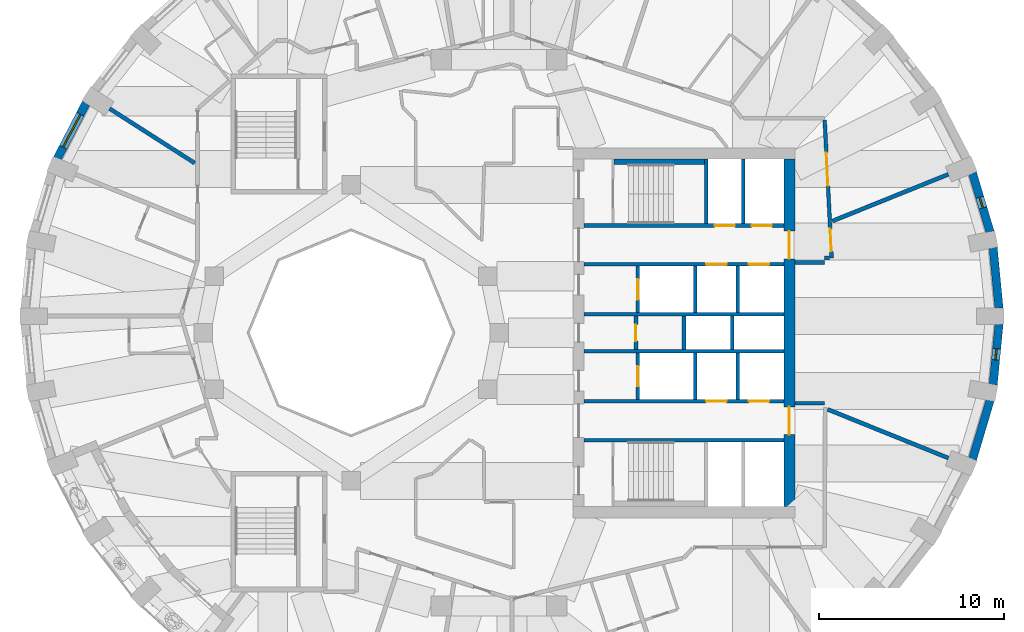
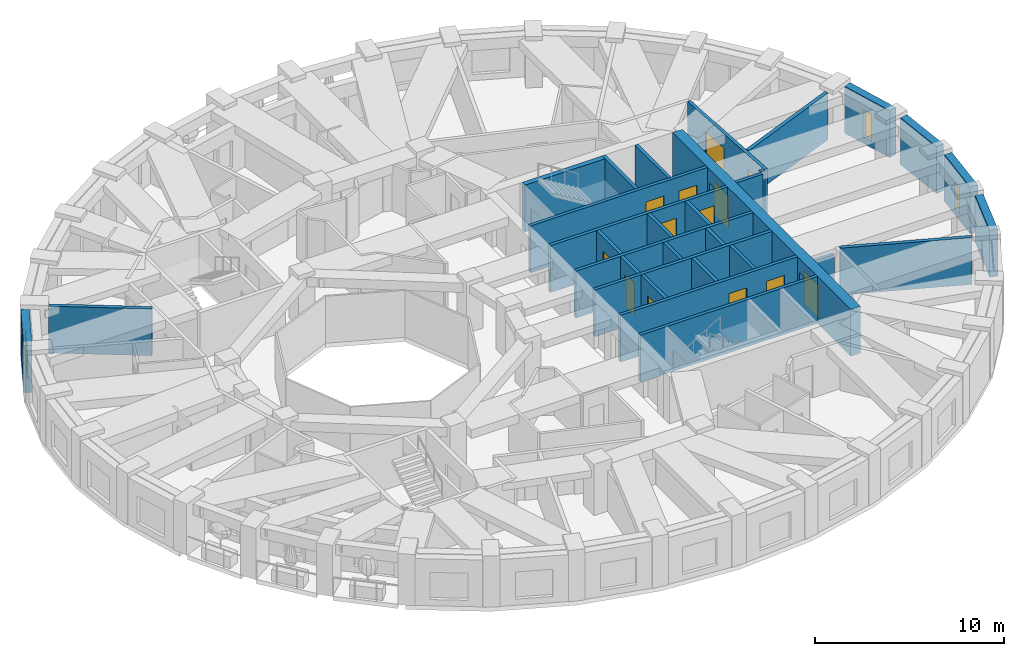
# One storey, part 6 of 12: 31 walls, 13 doors, 3 windows, 16 openings.
"""IFC4 building model written with IfcOpenShell, lengths in metres."""

from ifc_helpers import new_model, si_unit, direction, frame, frame_2d, origin, place, context, subcontext, project, spatial, rectangle, extrude, material, layer, layer_set, type_object, element, fill, save


model = new_model("IFC4")

# Units and contexts
model_context = context("Model", 3, precision=1e-05, world=origin(), true_north=direction((0.0, 1.0)))
body_context = subcontext(model_context, "Body", "Model", "MODEL_VIEW")
ifc_project = project(units=[si_unit("LENGTHUNIT", "METRE"), si_unit("AREAUNIT", "SQUARE_METRE"), si_unit("VOLUMEUNIT", "CUBIC_METRE"), si_unit("PLANEANGLEUNIT", "RADIAN"), si_unit("MASSUNIT", "GRAM", prefix="KILO")], contexts=[model_context])

# Site, building, storey
site_placement = place(None, origin())
site = spatial("IfcSite", under=ifc_project, at=site_placement, CompositionType="ELEMENT")
building_placement = place(site_placement, origin())
building = spatial("IfcBuilding", under=site, at=building_placement, Name="Taillehof Tower", CompositionType="ELEMENT")
storey_placement = place(building_placement, frame((0.0, 0.0, 218.89990234375)))
storey = spatial("IfcBuildingStorey", under=building, at=storey_placement, Name="L62", CompositionType="ELEMENT", Elevation=218.89990234375)

# Wall
ifc_material_1 = material(Name="Brick masonry", Category="masonry")
ifc_layer_1 = layer(ifc_material_1, 0.449951171875)
ifc_layer_set_1 = layer_set([ifc_layer_1], Name="Brick infill wall 450")
wall_type_1 = type_object("IfcWallType", Name="Brick infill wall 450", PredefinedType="SOLIDWALL", material=ifc_layer_set_1)
wall_1_placement = place(storey_placement, frame((27.0322265625, 1.330078125, 0.0), z_axis=(0.0, 0.0, 1.0), x_axis=(-0.096824116835, 0.995301507283, 0.0)))
element("IfcWall", 1, at=wall_1_placement, inside=storey, type_object=wall_type_1, Name="Brick wall L62 bay 1", PredefinedType="SOLIDWALL", context=body_context, shape_type="SweptSolid", body=[
    extrude(rectangle(XDim=3.29296875, YDim=0.449951171875, at=frame_2d((1.646484375, 0.0))), origin(), (0.0, 0.0, 1.0), 3.02001953125),
])

# Wall, opening, window
wall_2_placement = place(storey_placement, frame((26.548095703125, 5.451904296875, 0.0), z_axis=(0.0, 0.0, 1.0), x_axis=(-0.285444972963, 0.958395099847, 0.0)))
wall_2 = element("IfcWall", 2, at=wall_2_placement, inside=storey, type_object=wall_type_1, Name="Brick wall L62 bay 2", PredefinedType="SOLIDWALL", context=body_context, shape_type="SweptSolid", body=[
    extrude(rectangle(XDim=3.3203125, YDim=0.449951171875, at=frame_2d((1.66015625, 0.0))), origin(), (0.0, 0.0, 1.0), 3.02001953125),
])
opening_1_placement = place(wall_2_placement, frame((1.360107421875, 0.0, 0.39990234375)))
opening_1 = element("IfcOpeningElement", 3, at=opening_1_placement, cuts=wall_2, Name="Opening W6", PredefinedType="OPENING", context=body_context, shape_type="SweptSolid", body=[
    extrude(rectangle(XDim=0.60009765625, YDim=1.75, at=frame_2d((0.300048828125, 0.875))), frame((0.0, 0.23486328125, 0.0), z_axis=(0.0, -1.0, 0.0), x_axis=(1.0, 0.0, 0.0)), (0.0, 0.0, 1.0), 0.469970703125),
])
ifc_material_2 = material(Name="Aluminium window frame with clear double glazing", Category="aluminium")
window_type_1 = type_object("IfcWindowType", Name="Slot window 600x1750", PartitioningType="SINGLE_PANEL", PredefinedType="WINDOW", material=ifc_material_2)
window_1_placement = place(opening_1_placement, origin())
window_1 = element("IfcWindow", 4, at=window_1_placement, inside=storey, type_object=window_type_1, Name="W6", OverallHeight=1.75, OverallWidth=0.60009765625, PartitioningType="SINGLE_PANEL", PredefinedType="WINDOW", context=body_context, shape_type="SweptSolid", body=[
    extrude(rectangle(XDim=0.60009765625, YDim=1.75, at=frame_2d((0.300048828125, 0.875))), frame((0.0, 0.034912109375, 0.0), z_axis=(0.0, -1.0, 0.0), x_axis=(1.0, 0.0, 0.0)), (0.0, 0.0, 1.0), 0.06005859375),
])
fill(opening_1, window_1)

wall_3_placement = place(storey_placement, frame((-22.326904296875, 12.424072265625, 0.0), z_axis=(0.0, 0.0, 1.0), x_axis=(-0.460232593174, -0.887798378113, 0.0)))
wall_3 = element("IfcWall", 5, at=wall_3_placement, inside=storey, type_object=wall_type_1, Name="Brick wall L62 bay 16", PredefinedType="SOLIDWALL", context=body_context, shape_type="SweptSolid", body=[
    extrude(rectangle(XDim=3.37060546875, YDim=0.449951171875, at=frame_2d((1.685302734375, 0.0))), origin(), (0.0, 0.0, 1.0), 3.02001953125),
])
opening_2_placement = place(wall_3_placement, frame((0.685302734375, 0.0, 0.39990234375)))
opening_2 = element("IfcOpeningElement", 6, at=opening_2_placement, cuts=wall_3, Name="Opening W2", PredefinedType="OPENING", context=body_context, shape_type="SweptSolid", body=[
    extrude(rectangle(XDim=2.0, YDim=1.75, at=frame_2d((1.0, 0.875))), frame((0.0, 0.23486328125, 0.0), z_axis=(0.0, -1.0, 0.0), x_axis=(1.0, 0.0, 0.0)), (0.0, 0.0, 1.0), 0.469970703125),
])
ifc_material_3 = material(Name="Aluminium window frame with clear double glazing", Category="aluminium")
window_type_2 = type_object("IfcWindowType", Name="Deep-set window 2000x1750", PartitioningType="SINGLE_PANEL", PredefinedType="WINDOW", material=ifc_material_3)
window_2_placement = place(opening_2_placement, origin())
window_2 = element("IfcWindow", 7, at=window_2_placement, inside=storey, type_object=window_type_2, Name="W2", OverallHeight=1.75, OverallWidth=2.0, PartitioningType="SINGLE_PANEL", PredefinedType="WINDOW", context=body_context, shape_type="SweptSolid", body=[
    extrude(rectangle(XDim=2.0, YDim=1.75, at=frame_2d((1.0, 0.875))), frame((0.0, 0.034912109375, 0.0), z_axis=(0.0, -1.0, 0.0), x_axis=(1.0, 0.0, 0.0)), (0.0, 0.0, 1.0), 0.06005859375),
])
fill(opening_2, window_2)

# Wall
wall_4_placement = place(storey_placement, frame((25.600341796875, -6.833984375, 0.0), z_axis=(0.0, 0.0, 1.0), x_axis=(0.285444972963, 0.958395099847, 0.0)))
element("IfcWall", 8, at=wall_4_placement, inside=storey, type_object=wall_type_1, Name="Brick wall L62 bay 35", PredefinedType="SOLIDWALL", context=body_context, shape_type="SweptSolid", body=[
    extrude(rectangle(XDim=3.3203125, YDim=0.449951171875, at=frame_2d((1.66015625, 0.0))), origin(), (0.0, 0.0, 1.0), 3.02001953125),
])

# Wall, opening, window
wall_5_placement = place(storey_placement, frame((26.71337890625, -2.807861328125, 0.0), z_axis=(0.0, 0.0, 1.0), x_axis=(0.096816972749, 0.995302202242, 0.0)))
wall_5 = element("IfcWall", 9, at=wall_5_placement, inside=storey, type_object=wall_type_1, Name="Brick wall L62 bay 36", PredefinedType="SOLIDWALL", context=body_context, shape_type="SweptSolid", body=[
    extrude(rectangle(XDim=3.293212890625, YDim=0.449951171875, at=frame_2d((1.646484375, 0.0))), origin(), (0.0, 0.0, 1.0), 3.02001953125),
])
opening_3_placement = place(wall_5_placement, frame((1.3466796875, 0.0, 0.39990234375)))
opening_3 = element("IfcOpeningElement", 10, at=opening_3_placement, cuts=wall_5, Name="Opening W6", PredefinedType="OPENING", context=body_context, shape_type="SweptSolid", body=[
    extrude(rectangle(XDim=0.60009765625, YDim=1.75, at=frame_2d((0.300048828125, 0.875))), frame((0.0, 0.23486328125, 0.0), z_axis=(0.0, -1.0, 0.0), x_axis=(1.0, 0.0, 0.0)), (0.0, 0.0, 1.0), 0.469970703125),
])
window_3_placement = place(opening_3_placement, origin())
window_3 = element("IfcWindow", 11, at=window_3_placement, inside=storey, type_object=window_type_1, Name="W6", OverallHeight=1.75, OverallWidth=0.60009765625, PartitioningType="SINGLE_PANEL", PredefinedType="WINDOW", context=body_context, shape_type="SweptSolid", body=[
    extrude(rectangle(XDim=0.60009765625, YDim=1.75, at=frame_2d((0.300048828125, 0.875))), frame((0.0, 0.034912109375, 0.0), z_axis=(0.0, -1.0, 0.0), x_axis=(1.0, 0.0, 0.0)), (0.0, 0.0, 1.0), 0.06005859375),
])
fill(opening_3, window_3)

# Wall, opening, door
ifc_material_4 = material(Name="Calcium silicate masonry", Category="masonry")
ifc_layer_2 = layer(ifc_material_4, 0.199951171875)
ifc_layer_set_2 = layer_set([ifc_layer_2], Name="Compartment wall calcium silicate 200")
wall_type_2 = type_object("IfcWallType", Name="Compartment wall calcium silicate 200", PredefinedType="PARTITIONING", material=ifc_layer_set_2)
wall_6_placement = place(storey_placement, frame((7.39990234375, -0.89990234375, 0.0), z_axis=(0.0, 0.0, 1.0), x_axis=(0.0, 1.0, 0.0)))
wall_6 = element("IfcWall", 12, at=wall_6_placement, inside=storey, type_object=wall_type_2, Name="Compartment wall FW", PredefinedType="PARTITIONING", context=body_context, shape_type="SweptSolid", body=[
    extrude(rectangle(XDim=1.7998046875, YDim=0.199951171875, at=frame_2d((0.89990234375, 0.0))), origin(), (0.0, 0.0, 1.0), 3.02001953125),
])
opening_4_placement = place(wall_6_placement, frame((0.449951171875, 0.0, 0.0)))
opening_4 = element("IfcOpeningElement", 13, at=opening_4_placement, cuts=wall_6, Name="Opening D6214", PredefinedType="OPENING", context=body_context, shape_type="SweptSolid", body=[
    extrude(rectangle(XDim=0.89990234375, YDim=2.10009765625, at=frame_2d((0.449951171875, 1.050048828125))), frame((0.0, 0.10986328125, 0.0), z_axis=(0.0, -1.0, 0.0), x_axis=(1.0, 0.0, 0.0)), (0.0, 0.0, 1.0), 0.219970703125),
])
ifc_material_5 = material(Name="Steel-faced fire door", Category="steel")
door_type_1 = type_object("IfcDoorType", Name="Riser and service room door 900x2100", OperationType="SINGLE_SWING_LEFT", PredefinedType="DOOR", material=ifc_material_5)
door_1_placement = place(opening_4_placement, origin())
door_1 = element("IfcDoor", 14, at=door_1_placement, inside=storey, type_object=door_type_1, Name="Door Bms Room", OperationType="SINGLE_SWING_RIGHT", OverallHeight=2.10009765625, OverallWidth=0.89990234375, PredefinedType="DOOR", context=body_context, shape_type="SweptSolid", body=[
    extrude(rectangle(XDim=0.89990234375, YDim=2.10009765625, at=frame_2d((0.449951171875, 1.050048828125))), frame((0.0, 0.02490234375, 0.0), z_axis=(0.0, -1.0, 0.0), x_axis=(1.0, 0.0, 0.0)), (0.0, 0.0, 1.0), 0.050048828125),
])
fill(opening_4, door_1)

# Walls
for number, where, z_axis, x_axis, name in (
    (15, (10.0, -0.89990234375, 0.0), (0.0, 0.0, 1.0), (0.0, 1.0, 0.0), "Compartment wall FW"),
    (16, (12.60009765625, -0.89990234375, 0.0), (0.0, 0.0, 1.0), (0.0, 1.0, 0.0), "Compartment wall FW"),
):
    element("IfcWall", number, at=place(storey_placement, frame(where, z_axis=z_axis, x_axis=x_axis)), inside=storey, type_object=wall_type_2, Name=name, PredefinedType="PARTITIONING", context=body_context, shape_type="SweptSolid", body=[
        extrude(rectangle(XDim=1.7998046875, YDim=0.199951171875, at=frame_2d((0.89990234375, 0.0))), origin(), (0.0, 0.0, 1.0), 3.02001953125),
    ])

# Wall, openings, doors
ifc_material_6 = material(Name="Gypsum board on steel studs, two layers each side", Category="steel")
ifc_layer_3 = layer(ifc_material_6, 0.199951171875)
ifc_layer_set_3 = layer_set([ifc_layer_3], Name="Compartment wall corridor 200")
wall_type_3 = type_object("IfcWallType", Name="Compartment wall corridor 200", PredefinedType="PARTITIONING", material=ifc_layer_set_3)
wall_7_placement = place(storey_placement, frame((17.60498046875, 11.5, 0.0), z_axis=(0.0, 0.0, 1.0), x_axis=(0.050646981223, -0.998716618112, 0.0)))
wall_7 = element("IfcWall", 17, at=wall_7_placement, inside=storey, type_object=wall_type_3, Name="Compartment wall", PredefinedType="PARTITIONING", context=body_context, shape_type="SweptSolid", body=[
    extrude(rectangle(XDim=7.466796875, YDim=0.199951171875, at=frame_2d((3.7333984375, 0.0))), origin(), (0.0, 0.0, 1.0), 3.02001953125),
])
opening_5_placement = place(wall_7_placement, frame((5.888916015625, 0.0, 0.0)))
opening_5 = element("IfcOpeningElement", 18, at=opening_5_placement, cuts=wall_7, Name="Opening D6266", PredefinedType="OPENING", context=body_context, shape_type="SweptSolid", body=[
    extrude(rectangle(XDim=1.199951171875, YDim=2.10009765625, at=frame_2d((0.60009765625, 1.050048828125))), frame((0.0, 0.10986328125, 0.0), z_axis=(0.0, -1.0, 0.0), x_axis=(1.0, 0.0, 0.0)), (0.0, 0.0, 1.0), 0.219970703125),
])
opening_6_placement = place(wall_7_placement, frame((1.7646484375, 0.0, 0.0)))
opening_6 = element("IfcOpeningElement", 19, at=opening_6_placement, cuts=wall_7, Name="Opening D6267", PredefinedType="OPENING", context=body_context, shape_type="SweptSolid", body=[
    extrude(rectangle(XDim=1.800048828125, YDim=2.10009765625, at=frame_2d((0.89990234375, 1.050048828125))), frame((0.0, 0.10986328125, 0.0), z_axis=(0.0, -1.0, 0.0), x_axis=(1.0, 0.0, 0.0)), (0.0, 0.0, 1.0), 0.219970703125),
])
ifc_material_7 = material(Name="Timber door leaf in steel frame", Category="steel")
door_type_2 = type_object("IfcDoorType", Name="Lounge and meeting room double door EI 30 1800 x 2100", OperationType="SINGLE_SWING_LEFT", PredefinedType="DOOR", material=ifc_material_7)
door_2_placement = place(opening_6_placement, origin())
door_2 = element("IfcDoor", 20, at=door_2_placement, inside=storey, type_object=door_type_2, Name="D6267", OperationType="DOUBLE_DOOR_SINGLE_SWING", OverallHeight=2.10009765625, OverallWidth=1.800048828125, PredefinedType="DOOR", context=body_context, shape_type="SweptSolid", body=[
    extrude(rectangle(XDim=1.800048828125, YDim=2.10009765625, at=frame_2d((0.89990234375, 1.050048828125))), frame((0.0, 0.02490234375, 0.0), z_axis=(0.0, -1.0, 0.0), x_axis=(1.0, 0.0, 0.0)), (0.0, 0.0, 1.0), 0.050048828125),
])
fill(opening_6, door_2)
ifc_material_8 = material(Name="Timber door leaf in steel frame", Category="steel")
door_type_3 = type_object("IfcDoorType", Name="Suite entrance door EI 30 1200 x 2100", OperationType="SINGLE_SWING_LEFT", PredefinedType="DOOR", material=ifc_material_8)
door_3_placement = place(opening_5_placement, origin())
door_3 = element("IfcDoor", 21, at=door_3_placement, inside=storey, type_object=door_type_3, Name="D6266", OperationType="SINGLE_SWING_LEFT", OverallHeight=2.10009765625, OverallWidth=1.199951171875, PredefinedType="DOOR", context=body_context, shape_type="SweptSolid", body=[
    extrude(rectangle(XDim=1.199951171875, YDim=2.10009765625, at=frame_2d((0.60009765625, 1.050048828125))), frame((0.0, 0.02490234375, 0.0), z_axis=(0.0, -1.0, 0.0), x_axis=(1.0, 0.0, 0.0)), (0.0, 0.0, 1.0), 0.050048828125),
])
fill(opening_5, door_3)

# Walls
wall_8_placement = place(storey_placement, frame((17.863037109375, 4.042724609375, 0.0), z_axis=(0.0, 0.0, 1.0), x_axis=(-1.0, 0.0, 0.0)))
element("IfcWall", 22, at=wall_8_placement, inside=storey, type_object=wall_type_3, Name="Compartment wall", PredefinedType="PARTITIONING", context=body_context, shape_type="SweptSolid", body=[
    extrude(rectangle(XDim=0.262939453125, YDim=0.199951171875, at=frame_2d((0.13134765625, 0.0))), origin(), (0.0, 0.0, 1.0), 3.02001953125),
])
wall_9_placement = place(storey_placement, frame((17.60009765625, 3.800048828125, 0.0), z_axis=(0.0, 0.0, 1.0), x_axis=(-1.0, 0.0, 0.0)))
element("IfcWall", 23, at=wall_9_placement, inside=storey, type_object=wall_type_3, Name="Compartment wall", PredefinedType="PARTITIONING", context=body_context, shape_type="SweptSolid", body=[
    extrude(rectangle(XDim=1.59619140625, YDim=0.199951171875, at=frame_2d((0.798095703125, 0.0))), origin(), (0.0, 0.0, 1.0), 3.02001953125),
])
wall_10_placement = place(storey_placement, frame((16.00390625, -3.800048828125, 0.0), z_axis=(0.0, 0.0, 1.0), x_axis=(1.0, 0.0, 0.0)))
element("IfcWall", 24, at=wall_10_placement, inside=storey, type_object=wall_type_3, Name="Compartment wall", PredefinedType="PARTITIONING", context=body_context, shape_type="SweptSolid", body=[
    extrude(rectangle(XDim=1.59619140625, YDim=0.199951171875, at=frame_2d((0.798095703125, 0.0))), origin(), (0.0, 0.0, 1.0), 2.47021484375),
])
ifc_material_9 = material(Name="Gypsum board on double steel studs with mineral wool", Category="steel")
ifc_layer_4 = layer(ifc_material_9, 0.219970703125)
ifc_layer_set_4 = layer_set([ifc_layer_4], Name="Compartment wall guest room 220")
wall_type_4 = type_object("IfcWallType", Name="Compartment wall guest room 220", PredefinedType="PARTITIONING", material=ifc_layer_set_4)
wall_11_placement = place(storey_placement, frame((24.29541015625, 8.5712890625, 0.0), z_axis=(0.0, 0.0, 1.0), x_axis=(-0.927397869515, -0.374076451569, 0.0)))
element("IfcWall", 25, at=wall_11_placement, inside=storey, type_object=wall_type_4, Name="Compartment wall", PredefinedType="PARTITIONING", context=body_context, shape_type="SweptSolid", body=[
    extrude(rectangle(XDim=6.7666015625, YDim=0.219970703125, at=frame_2d((3.38330078125, 0.0))), origin(), (0.0, 0.0, 1.0), 3.02001953125),
])
wall_12_placement = place(storey_placement, frame((-21.054931640625, 12.120849609375, 0.0), z_axis=(0.0, 0.0, 1.0), x_axis=(0.842286811608, -0.539029616061, 0.0)))
element("IfcWall", 26, at=wall_12_placement, inside=storey, type_object=wall_type_4, Name="Compartment wall", PredefinedType="PARTITIONING", context=body_context, shape_type="SweptSolid", body=[
    extrude(rectangle(XDim=5.46630859375, YDim=0.219970703125, at=frame_2d((2.733154296875, 0.0))), origin(), (0.0, 0.0, 1.0), 3.02001953125),
])
wall_13_placement = place(storey_placement, frame((24.29541015625, -6.771484375, 0.0), z_axis=(0.0, 0.0, 1.0), x_axis=(-0.927386950843, 0.374103519639, 0.0)))
element("IfcWall", 27, at=wall_13_placement, inside=storey, type_object=wall_type_4, Name="Compartment wall", PredefinedType="PARTITIONING", context=body_context, shape_type="SweptSolid", body=[
    extrude(rectangle(XDim=7.040283203125, YDim=0.219970703125, at=frame_2d((3.52001953125, 0.0))), origin(), (0.0, 0.0, 1.0), 3.02001953125),
])
ifc_material_10 = material(Name="Calcium silicate masonry", Category="masonry")
ifc_layer_5 = layer(ifc_material_10, 0.300048828125)
ifc_layer_set_5 = layer_set([ifc_layer_5], Name="Compartment wall lining calcium silicate 300")
wall_type_5 = type_object("IfcWallType", Name="Compartment wall lining calcium silicate 300", PredefinedType="PARTITIONING", material=ifc_layer_set_5)
wall_14_placement = place(storey_placement, frame((6.219970703125, 9.25, 0.0), z_axis=(0.0, 0.0, 1.0), x_axis=(1.0, 0.0, 0.0)))
element("IfcWall", 28, at=wall_14_placement, inside=storey, type_object=wall_type_5, Name="Compartment wall FW", PredefinedType="PARTITIONING", context=body_context, shape_type="SweptSolid", body=[
    extrude(rectangle(XDim=4.880126953125, YDim=0.300048828125, at=frame_2d((2.43994140625, 0.0))), origin(), (0.0, 0.0, 1.0), 3.02001953125),
])

# Wall, openings, doors
ifc_material_11 = material(Name="Concrete C80/95", Category="concrete")
ifc_layer_6 = layer(ifc_material_11, 0.60009765625)
ifc_layer_set_6 = layer_set([ifc_layer_6], Name="Core wall C80/95 600")
wall_type_6 = type_object("IfcWallType", Name="Core wall C80/95 600", PredefinedType="SHEAR", material=ifc_layer_set_6)
wall_15_placement = place(storey_placement, frame((15.699951171875, -9.39990234375, 0.0), z_axis=(0.0, 0.0, 1.0), x_axis=(0.0, 1.0, 0.0)))
wall_15 = element("IfcWall", 29, at=wall_15_placement, inside=storey, type_object=wall_type_6, Name="Core wall CW05", PredefinedType="SHEAR", context=body_context, shape_type="SweptSolid", body=[
    extrude(rectangle(XDim=18.7998046875, YDim=0.60009765625, at=frame_2d((9.39990234375, 0.0))), origin(), (0.0, 0.0, 1.0), 3.02001953125),
])
opening_7_placement = place(wall_15_placement, frame((13.39990234375, 0.0, 0.0)))
opening_7 = element("IfcOpeningElement", 30, at=opening_7_placement, cuts=wall_15, Name="Opening D6208", PredefinedType="OPENING", context=body_context, shape_type="SweptSolid", body=[
    extrude(rectangle(XDim=1.5, YDim=2.10009765625, at=frame_2d((0.75, 1.050048828125))), frame((0.0, 0.31005859375, 0.0), z_axis=(0.0, -1.0, 0.0), x_axis=(1.0, 0.0, 0.0)), (0.0, 0.0, 1.0), 0.6201171875),
])
opening_8_placement = place(wall_15_placement, frame((3.89990234375, 0.0, 0.0)))
opening_8 = element("IfcOpeningElement", 31, at=opening_8_placement, cuts=wall_15, Name="Opening D6209", PredefinedType="OPENING", context=body_context, shape_type="SweptSolid", body=[
    extrude(rectangle(XDim=1.5, YDim=2.10009765625, at=frame_2d((0.75, 1.050048828125))), frame((0.0, 0.31005859375, 0.0), z_axis=(0.0, -1.0, 0.0), x_axis=(1.0, 0.0, 0.0)), (0.0, 0.0, 1.0), 0.6201171875),
])
ifc_material_12 = material(Name="Steel-faced fire door", Category="steel")
door_type_4 = type_object("IfcDoorType", Name="Lift lobby east door 1500x2100", OperationType="DOUBLE_DOOR_SINGLE_SWING", PredefinedType="DOOR", material=ifc_material_12)
door_4_placement = place(opening_7_placement, origin())
door_4 = element("IfcDoor", 32, at=door_4_placement, inside=storey, type_object=door_type_4, Name="Lift lobby east door north", OperationType="DOUBLE_DOOR_SINGLE_SWING", OverallHeight=2.10009765625, OverallWidth=1.5, PredefinedType="DOOR", context=body_context, shape_type="SweptSolid", body=[
    extrude(rectangle(XDim=1.5, YDim=2.10009765625, at=frame_2d((0.75, 1.050048828125))), frame((0.0, 0.02490234375, 0.0), z_axis=(0.0, -1.0, 0.0), x_axis=(1.0, 0.0, 0.0)), (0.0, 0.0, 1.0), 0.050048828125),
])
fill(opening_7, door_4)
door_5_placement = place(opening_8_placement, origin())
door_5 = element("IfcDoor", 33, at=door_5_placement, inside=storey, type_object=door_type_4, Name="Lift lobby east door south", OperationType="DOUBLE_DOOR_SINGLE_SWING", OverallHeight=2.10009765625, OverallWidth=1.5, PredefinedType="DOOR", context=body_context, shape_type="SweptSolid", body=[
    extrude(rectangle(XDim=1.5, YDim=2.10009765625, at=frame_2d((0.75, 1.050048828125))), frame((0.0, 0.02490234375, 0.0), z_axis=(0.0, -1.0, 0.0), x_axis=(1.0, 0.0, 0.0)), (0.0, 0.0, 1.0), 0.050048828125),
])
fill(opening_8, door_5)

ifc_material_13 = material(Name="Concrete C50/60", Category="concrete")
ifc_layer_7 = layer(ifc_material_13, 0.199951171875)
ifc_layer_set_7 = layer_set([ifc_layer_7], Name="Shaft wall C50/60 200")
wall_type_7 = type_object("IfcWallType", Name="Shaft wall C50/60 200", PredefinedType="SHEAR", material=ifc_layer_set_7)
wall_16_placement = place(storey_placement, frame((4.60009765625, 5.800048828125, 0.0), z_axis=(0.0, 0.0, 1.0), x_axis=(1.0, 0.0, 0.0)))
wall_16 = element("IfcWall", 34, at=wall_16_placement, inside=storey, type_object=wall_type_7, Name="Shaft wall SW", PredefinedType="SHEAR", context=body_context, shape_type="SweptSolid", body=[
    extrude(rectangle(XDim=10.7998046875, YDim=0.199951171875, at=frame_2d((5.39990234375, 0.0))), origin(), (0.0, 0.0, 1.0), 3.02001953125),
])
opening_9_placement = place(wall_16_placement, frame((7.050048828125, 0.0, 0.0)))
opening_9 = element("IfcOpeningElement", 35, at=opening_9_placement, cuts=wall_16, Name="Opening LD1", PredefinedType="OPENING", context=body_context, shape_type="SweptSolid", body=[
    extrude(rectangle(XDim=1.10009765625, YDim=2.10009765625, at=frame_2d((0.550048828125, 1.050048828125))), frame((0.0, 0.10986328125, 0.0), z_axis=(0.0, -1.0, 0.0), x_axis=(1.0, 0.0, 0.0)), (0.0, 0.0, 1.0), 0.219970703125),
])
opening_10_placement = place(wall_16_placement, frame((9.050048828125, 0.0, 0.0)))
opening_10 = element("IfcOpeningElement", 36, at=opening_10_placement, cuts=wall_16, Name="Opening LD1", PredefinedType="OPENING", context=body_context, shape_type="SweptSolid", body=[
    extrude(rectangle(XDim=1.10009765625, YDim=2.10009765625, at=frame_2d((0.550048828125, 1.050048828125))), frame((0.0, 0.10986328125, 0.0), z_axis=(0.0, -1.0, 0.0), x_axis=(1.0, 0.0, 0.0)), (0.0, 0.0, 1.0), 0.219970703125),
])
ifc_material_14 = material(Name="Stainless steel", Category="steel")
door_type_5 = type_object("IfcDoorType", Name="Lift landing door LD1 1100x2100", OperationType="DOUBLE_DOOR_SLIDING", PredefinedType="DOOR", material=ifc_material_14)
door_6_placement = place(opening_9_placement, origin())
door_6 = element("IfcDoor", 37, at=door_6_placement, inside=storey, type_object=door_type_5, Name="Landing door HR1", OperationType="DOUBLE_DOOR_SLIDING", OverallHeight=2.10009765625, OverallWidth=1.10009765625, PredefinedType="DOOR", context=body_context, shape_type="SweptSolid", body=[
    extrude(rectangle(XDim=1.10009765625, YDim=2.10009765625, at=frame_2d((0.550048828125, 1.050048828125))), frame((0.0, 0.02490234375, 0.0), z_axis=(0.0, -1.0, 0.0), x_axis=(1.0, 0.0, 0.0)), (0.0, 0.0, 1.0), 0.050048828125),
])
fill(opening_9, door_6)
door_7_placement = place(opening_10_placement, origin())
door_7 = element("IfcDoor", 38, at=door_7_placement, inside=storey, type_object=door_type_5, Name="Landing door HR2", OperationType="DOUBLE_DOOR_SLIDING", OverallHeight=2.10009765625, OverallWidth=1.10009765625, PredefinedType="DOOR", context=body_context, shape_type="SweptSolid", body=[
    extrude(rectangle(XDim=1.10009765625, YDim=2.10009765625, at=frame_2d((0.550048828125, 1.050048828125))), frame((0.0, 0.02490234375, 0.0), z_axis=(0.0, -1.0, 0.0), x_axis=(1.0, 0.0, 0.0)), (0.0, 0.0, 1.0), 0.050048828125),
])
fill(opening_10, door_7)

wall_17_placement = place(storey_placement, frame((4.60009765625, 3.699951171875, 0.0), z_axis=(0.0, 0.0, 1.0), x_axis=(1.0, 0.0, 0.0)))
wall_17 = element("IfcWall", 39, at=wall_17_placement, inside=storey, type_object=wall_type_7, Name="Shaft wall SW", PredefinedType="SHEAR", context=body_context, shape_type="SweptSolid", body=[
    extrude(rectangle(XDim=10.7998046875, YDim=0.199951171875, at=frame_2d((5.39990234375, 0.0))), origin(), (0.0, 0.0, 1.0), 3.02001953125),
])
opening_11_placement = place(wall_17_placement, frame((6.60009765625, 0.0, 0.0)))
opening_11 = element("IfcOpeningElement", 40, at=opening_11_placement, cuts=wall_17, Name="Opening LD1", PredefinedType="OPENING", context=body_context, shape_type="SweptSolid", body=[
    extrude(rectangle(XDim=1.10009765625, YDim=2.10009765625, at=frame_2d((0.550048828125, 1.050048828125))), frame((0.0, 0.10986328125, 0.0), z_axis=(0.0, -1.0, 0.0), x_axis=(1.0, 0.0, 0.0)), (0.0, 0.0, 1.0), 0.219970703125),
])
opening_12_placement = place(wall_17_placement, frame((8.89990234375, 0.0, 0.0)))
opening_12 = element("IfcOpeningElement", 41, at=opening_12_placement, cuts=wall_17, Name="Opening LD1", PredefinedType="OPENING", context=body_context, shape_type="SweptSolid", body=[
    extrude(rectangle(XDim=1.10009765625, YDim=2.10009765625, at=frame_2d((0.550048828125, 1.050048828125))), frame((0.0, 0.10986328125, 0.0), z_axis=(0.0, -1.0, 0.0), x_axis=(1.0, 0.0, 0.0)), (0.0, 0.0, 1.0), 0.219970703125),
])
door_8_placement = place(opening_11_placement, origin())
door_8 = element("IfcDoor", 42, at=door_8_placement, inside=storey, type_object=door_type_5, Name="Landing door HR3", OperationType="DOUBLE_DOOR_SLIDING", OverallHeight=2.10009765625, OverallWidth=1.10009765625, PredefinedType="DOOR", context=body_context, shape_type="SweptSolid", body=[
    extrude(rectangle(XDim=1.10009765625, YDim=2.10009765625, at=frame_2d((0.550048828125, 1.050048828125))), frame((0.0, 0.02490234375, 0.0), z_axis=(0.0, -1.0, 0.0), x_axis=(1.0, 0.0, 0.0)), (0.0, 0.0, 1.0), 0.050048828125),
])
fill(opening_11, door_8)
door_9_placement = place(opening_12_placement, origin())
door_9 = element("IfcDoor", 43, at=door_9_placement, inside=storey, type_object=door_type_5, Name="Landing door HR4", OperationType="DOUBLE_DOOR_SLIDING", OverallHeight=2.10009765625, OverallWidth=1.10009765625, PredefinedType="DOOR", context=body_context, shape_type="SweptSolid", body=[
    extrude(rectangle(XDim=1.10009765625, YDim=2.10009765625, at=frame_2d((0.550048828125, 1.050048828125))), frame((0.0, 0.02490234375, 0.0), z_axis=(0.0, -1.0, 0.0), x_axis=(1.0, 0.0, 0.0)), (0.0, 0.0, 1.0), 0.050048828125),
])
fill(opening_12, door_9)

# Walls
for number, where, z_axis, x_axis, name in (
    (44, (4.60009765625, 1.0, 0.0), (0.0, 0.0, 1.0), (1.0, 0.0, 0.0), "Shaft wall SW"),
    (45, (4.60009765625, -1.0, 0.0), (0.0, 0.0, 1.0), (1.0, 0.0, 0.0), "Shaft wall SW"),
):
    element("IfcWall", number, at=place(storey_placement, frame(where, z_axis=z_axis, x_axis=x_axis)), inside=storey, type_object=wall_type_7, Name=name, PredefinedType="SHEAR", context=body_context, shape_type="SweptSolid", body=[
        extrude(rectangle(XDim=10.7998046875, YDim=0.199951171875, at=frame_2d((5.39990234375, 0.0))), origin(), (0.0, 0.0, 1.0), 3.02001953125),
    ])

# Wall, openings, doors
wall_18_placement = place(storey_placement, frame((4.60009765625, -3.699951171875, 0.0), z_axis=(0.0, 0.0, 1.0), x_axis=(1.0, 0.0, 0.0)))
wall_18 = element("IfcWall", 46, at=wall_18_placement, inside=storey, type_object=wall_type_7, Name="Shaft wall SW", PredefinedType="SHEAR", context=body_context, shape_type="SweptSolid", body=[
    extrude(rectangle(XDim=10.7998046875, YDim=0.199951171875, at=frame_2d((5.39990234375, 0.0))), origin(), (0.0, 0.0, 1.0), 3.02001953125),
])
opening_13_placement = place(wall_18_placement, frame((6.60009765625, 0.0, 0.0)))
opening_13 = element("IfcOpeningElement", 47, at=opening_13_placement, cuts=wall_18, Name="Opening LD1", PredefinedType="OPENING", context=body_context, shape_type="SweptSolid", body=[
    extrude(rectangle(XDim=1.10009765625, YDim=2.10009765625, at=frame_2d((0.550048828125, 1.050048828125))), frame((0.0, 0.10986328125, 0.0), z_axis=(0.0, -1.0, 0.0), x_axis=(1.0, 0.0, 0.0)), (0.0, 0.0, 1.0), 0.219970703125),
])
opening_14_placement = place(wall_18_placement, frame((8.89990234375, 0.0, 0.0)))
opening_14 = element("IfcOpeningElement", 48, at=opening_14_placement, cuts=wall_18, Name="Opening LD1", PredefinedType="OPENING", context=body_context, shape_type="SweptSolid", body=[
    extrude(rectangle(XDim=1.10009765625, YDim=2.10009765625, at=frame_2d((0.550048828125, 1.050048828125))), frame((0.0, 0.10986328125, 0.0), z_axis=(0.0, -1.0, 0.0), x_axis=(1.0, 0.0, 0.0)), (0.0, 0.0, 1.0), 0.219970703125),
])
door_10_placement = place(opening_13_placement, origin())
door_10 = element("IfcDoor", 49, at=door_10_placement, inside=storey, type_object=door_type_5, Name="Landing door HR5", OperationType="DOUBLE_DOOR_SLIDING", OverallHeight=2.10009765625, OverallWidth=1.10009765625, PredefinedType="DOOR", context=body_context, shape_type="SweptSolid", body=[
    extrude(rectangle(XDim=1.10009765625, YDim=2.10009765625, at=frame_2d((0.550048828125, 1.050048828125))), frame((0.0, 0.02490234375, 0.0), z_axis=(0.0, -1.0, 0.0), x_axis=(1.0, 0.0, 0.0)), (0.0, 0.0, 1.0), 0.050048828125),
])
fill(opening_13, door_10)
door_11_placement = place(opening_14_placement, origin())
door_11 = element("IfcDoor", 50, at=door_11_placement, inside=storey, type_object=door_type_5, Name="Landing door HR6", OperationType="DOUBLE_DOOR_SLIDING", OverallHeight=2.10009765625, OverallWidth=1.10009765625, PredefinedType="DOOR", context=body_context, shape_type="SweptSolid", body=[
    extrude(rectangle(XDim=1.10009765625, YDim=2.10009765625, at=frame_2d((0.550048828125, 1.050048828125))), frame((0.0, 0.02490234375, 0.0), z_axis=(0.0, -1.0, 0.0), x_axis=(1.0, 0.0, 0.0)), (0.0, 0.0, 1.0), 0.050048828125),
])
fill(opening_14, door_11)

# Walls
wall_19_placement = place(storey_placement, frame((4.60009765625, -5.800048828125, 0.0), z_axis=(0.0, 0.0, 1.0), x_axis=(1.0, 0.0, 0.0)))
element("IfcWall", 51, at=wall_19_placement, inside=storey, type_object=wall_type_7, Name="Shaft wall SW", PredefinedType="SHEAR", context=body_context, shape_type="SweptSolid", body=[
    extrude(rectangle(XDim=10.7998046875, YDim=0.199951171875, at=frame_2d((5.39990234375, 0.0))), origin(), (0.0, 0.0, 1.0), 3.02001953125),
])
for number, where, z_axis, x_axis, name in (
    (52, (11.199951171875, 5.89990234375, 0.0), (0.0, 0.0, 1.0), (0.0, 1.0, 0.0), "Shaft wall SW"),
    (53, (13.199951171875, 5.89990234375, 0.0), (0.0, 0.0, 1.0), (0.0, 1.0, 0.0), "Shaft wall SW"),
):
    element("IfcWall", number, at=place(storey_placement, frame(where, z_axis=z_axis, x_axis=x_axis)), inside=storey, type_object=wall_type_7, Name=name, PredefinedType="SHEAR", context=body_context, shape_type="SweptSolid", body=[
        extrude(rectangle(XDim=3.5, YDim=0.199951171875, at=frame_2d((1.75, 0.0))), origin(), (0.0, 0.0, 1.0), 3.02001953125),
    ])

# Wall, opening, door
wall_20_placement = place(storey_placement, frame((7.5, 1.10009765625, 0.0), z_axis=(0.0, 0.0, 1.0), x_axis=(0.0, 1.0, 0.0)))
wall_20 = element("IfcWall", 54, at=wall_20_placement, inside=storey, type_object=wall_type_7, Name="Shaft wall SW", PredefinedType="SHEAR", context=body_context, shape_type="SweptSolid", body=[
    extrude(rectangle(XDim=2.5, YDim=0.199951171875, at=frame_2d((1.25, 0.0))), origin(), (0.0, 0.0, 1.0), 3.02001953125),
])
opening_15_placement = place(wall_20_placement, frame((0.699951171875, 0.0, 0.0)))
opening_15 = element("IfcOpeningElement", 55, at=opening_15_placement, cuts=wall_20, Name="Opening LD1", PredefinedType="OPENING", context=body_context, shape_type="SweptSolid", body=[
    extrude(rectangle(XDim=1.10009765625, YDim=2.10009765625, at=frame_2d((0.550048828125, 1.050048828125))), frame((0.0, 0.10986328125, 0.0), z_axis=(0.0, -1.0, 0.0), x_axis=(1.0, 0.0, 0.0)), (0.0, 0.0, 1.0), 0.219970703125),
])
door_12_placement = place(opening_15_placement, origin())
door_12 = element("IfcDoor", 56, at=door_12_placement, inside=storey, type_object=door_type_5, Name="Landing door FF1", OperationType="DOUBLE_DOOR_SLIDING", OverallHeight=2.10009765625, OverallWidth=1.10009765625, PredefinedType="DOOR", context=body_context, shape_type="SweptSolid", body=[
    extrude(rectangle(XDim=1.10009765625, YDim=2.10009765625, at=frame_2d((0.550048828125, 1.050048828125))), frame((0.0, 0.02490234375, 0.0), z_axis=(0.0, -1.0, 0.0), x_axis=(1.0, 0.0, 0.0)), (0.0, 0.0, 1.0), 0.050048828125),
])
fill(opening_15, door_12)

wall_21_placement = place(storey_placement, frame((7.5, -3.60009765625, 0.0), z_axis=(0.0, 0.0, 1.0), x_axis=(0.0, 1.0, 0.0)))
wall_21 = element("IfcWall", 57, at=wall_21_placement, inside=storey, type_object=wall_type_7, Name="Shaft wall SW", PredefinedType="SHEAR", context=body_context, shape_type="SweptSolid", body=[
    extrude(rectangle(XDim=2.5, YDim=0.199951171875, at=frame_2d((1.25, 0.0))), origin(), (0.0, 0.0, 1.0), 3.02001953125),
])
opening_16_placement = place(wall_21_placement, frame((0.699951171875, 0.0, 0.0)))
opening_16 = element("IfcOpeningElement", 58, at=opening_16_placement, cuts=wall_21, Name="Opening LD1", PredefinedType="OPENING", context=body_context, shape_type="SweptSolid", body=[
    extrude(rectangle(XDim=1.10009765625, YDim=2.10009765625, at=frame_2d((0.550048828125, 1.050048828125))), frame((0.0, 0.10986328125, 0.0), z_axis=(0.0, -1.0, 0.0), x_axis=(1.0, 0.0, 0.0)), (0.0, 0.0, 1.0), 0.219970703125),
])
door_13_placement = place(opening_16_placement, origin())
door_13 = element("IfcDoor", 59, at=door_13_placement, inside=storey, type_object=door_type_5, Name="Landing door FF2", OperationType="DOUBLE_DOOR_SLIDING", OverallHeight=2.10009765625, OverallWidth=1.10009765625, PredefinedType="DOOR", context=body_context, shape_type="SweptSolid", body=[
    extrude(rectangle(XDim=1.10009765625, YDim=2.10009765625, at=frame_2d((0.550048828125, 1.050048828125))), frame((0.0, 0.02490234375, 0.0), z_axis=(0.0, -1.0, 0.0), x_axis=(1.0, 0.0, 0.0)), (0.0, 0.0, 1.0), 0.050048828125),
])
fill(opening_16, door_13)

# Walls
for number, where, z_axis, x_axis, name in (
    (60, (10.60009765625, 1.10009765625, 0.0), (0.0, 0.0, 1.0), (0.0, 1.0, 0.0), "Shaft wall SW"),
    (61, (10.60009765625, -3.60009765625, 0.0), (0.0, 0.0, 1.0), (0.0, 1.0, 0.0), "Shaft wall SW"),
    (62, (12.89990234375, 1.10009765625, 0.0), (0.0, 0.0, 1.0), (0.0, 1.0, 0.0), "Shaft wall SW"),
    (63, (12.89990234375, -3.60009765625, 0.0), (0.0, 0.0, 1.0), (0.0, 1.0, 0.0), "Shaft wall SW"),
):
    element("IfcWall", number, at=place(storey_placement, frame(where, z_axis=z_axis, x_axis=x_axis)), inside=storey, type_object=wall_type_7, Name=name, PredefinedType="SHEAR", context=body_context, shape_type="SweptSolid", body=[
        extrude(rectangle(XDim=2.5, YDim=0.199951171875, at=frame_2d((1.25, 0.0))), origin(), (0.0, 0.0, 1.0), 3.02001953125),
    ])

save(model, "model.ifc")
